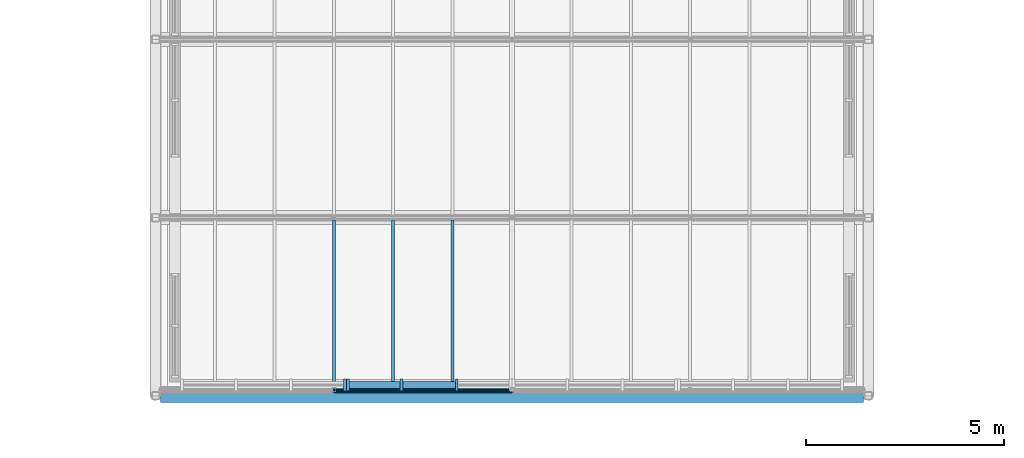
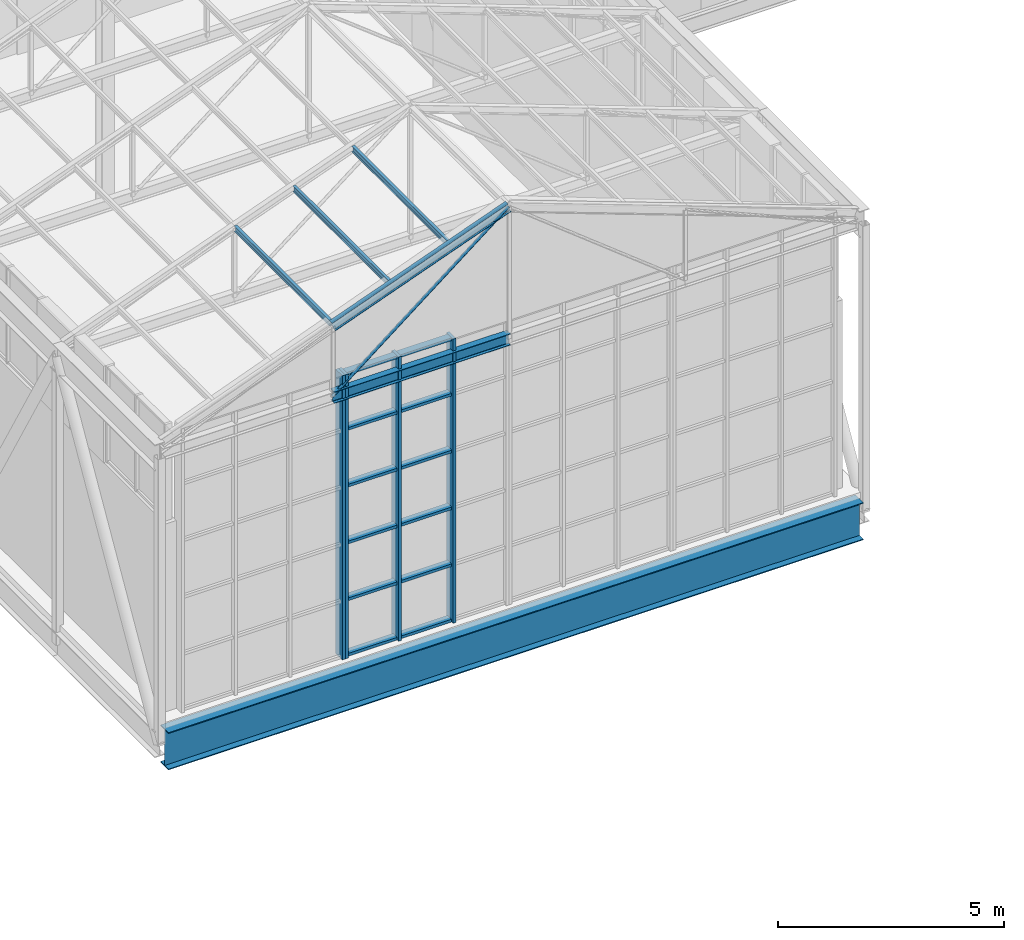
# One storey, part 12 of 90: 22 members, 1 beam, 2 elements without a shape of their own.
"""IFC4 building model written with IfcOpenShell, lengths in metres."""

from ifc_helpers import new_model, si_unit, direction, frame, origin, origin_2d, place, context, subcontext, project, spatial, rectangle, hollow_circle, i_section, extrude, material, layer, layer_set, material_profile, profile_set, type_object, element, aggregate, save


model = new_model("IFC4")

# Units and contexts
model_context = context("Model", 3, precision=1e-05, world=origin(), true_north=direction((0.0, 1.0)))
body_context = subcontext(model_context, "Body", "Model", "MODEL_VIEW")
ifc_project = project(units=[si_unit("LENGTHUNIT", "METRE"), si_unit("AREAUNIT", "SQUARE_METRE"), si_unit("VOLUMEUNIT", "CUBIC_METRE"), si_unit("PLANEANGLEUNIT", "RADIAN"), si_unit("MASSUNIT", "GRAM", prefix="KILO")], contexts=[model_context])

# Site, building, storey
site_placement = place(None, origin())
site = spatial("IfcSite", under=ifc_project, at=site_placement, CompositionType="ELEMENT")
building_placement = place(site_placement, origin())
building = spatial("IfcBuilding", under=site, at=building_placement, Name="Halyard Row Museum", CompositionType="ELEMENT")
storey_placement = place(building_placement, frame((0.0, 0.0, 13.39990234375)))
storey = spatial("IfcBuildingStorey", under=building, at=storey_placement, Name="L03", CompositionType="ELEMENT", Elevation=13.39990234375)

# Beam
ifc_material_1 = material(Name="Steel Grade 300", Category="steel")
ifc_material_profile_1 = material_profile(ifc_material_1, i_section(OverallWidth=0.35009765625, OverallDepth=1.010009765625, WebThickness=0.01611328125, FlangeThickness=0.02490234375, at=origin_2d()), Name="1000WB258")
ifc_profile_set_1 = profile_set([ifc_material_profile_1], Name="Steel Grade 300")
beam_type = type_object("IfcBeamType", Name="Cross girder beam 1000WB258", PredefinedType="BEAM", material=ifc_profile_set_1)
beam_placement = place(storey_placement, frame((36.125, 0.0, -0.669921875), z_axis=(1.0, 0.0, 0.0), x_axis=(0.0, 1.0, 0.0)))
element("IfcBeam", 1, at=beam_placement, inside=storey, type_object=beam_type, Name="Beam L03-001", PredefinedType="BEAM", context=body_context, shape_type="SweptSolid", body=[
    extrude(i_section(OverallWidth=0.35009765625, OverallDepth=1.010009765625, WebThickness=0.01611328125, FlangeThickness=0.02490234375, at=origin_2d()), origin(), (0.0, 0.0, 1.0), 17.75),
])

# Curtain wall, member
ifc_material_2 = material(Name="Double glazed unit, low-emissivity", Category="glass")
ifc_layer = layer(ifc_material_2, 0.300048828125)
ifc_layer_set = layer_set([ifc_layer], Name="Double glazed unit, low-emissivity")
curtain_wall_type = type_object("IfcCurtainWallType", Name="Curtain wall deep-framed 300 deep", PredefinedType="NOTDEFINED", material=ifc_layer_set)
curtain_wall_1_placement = place(storey_placement, origin())
curtain_wall_1 = element("IfcCurtainWall", 2, at=curtain_wall_1_placement, inside=storey, type_object=curtain_wall_type, Name="Curtain wall CW063", PredefinedType="NOTDEFINED")
ifc_material_3 = material(Name="Powder-coated aluminium section", Category="aluminium")
ifc_material_profile_2 = material_profile(ifc_material_3, rectangle(XDim=0.300048828125, YDim=0.074951171875, at=origin_2d()), Name="300x75 mullion")
ifc_profile_set_2 = profile_set([ifc_material_profile_2], Name="Powder-coated aluminium section")
member_type_1 = type_object("IfcMemberType", Name="Curtain wall mullion CM6 75 x 300", PredefinedType="MULLION", material=ifc_profile_set_2)
member_1_placement = place(storey_placement, frame((40.777587890625, 0.27490234375, 0.0), z_axis=(0.0, 0.0, 1.0), x_axis=(0.0, 1.0, 0.0)))
member_1 = element("IfcMember", 3, at=member_1_placement, type_object=member_type_1, Name="CW063 mullion 4", PredefinedType="MULLION", context=body_context, shape_type="SweptSolid", body=[
    extrude(rectangle(XDim=0.300048828125, YDim=0.074951171875, at=origin_2d()), origin(), (0.0, 0.0, 1.0), 7.6728515625),
])
aggregate(curtain_wall_1, [member_1])

# Curtain wall, members
curtain_wall_2_placement = place(storey_placement, origin())
curtain_wall_2 = element("IfcCurtainWall", 4, at=curtain_wall_2_placement, inside=storey, type_object=curtain_wall_type, Name="Curtain wall CW064", PredefinedType="NOTDEFINED")
member_2_placement = place(storey_placement, frame((40.8525390625, 0.27490234375, 0.0), z_axis=(0.0, 0.0, 1.0), x_axis=(0.0, 1.0, 0.0)))
member_2 = element("IfcMember", 5, at=member_2_placement, type_object=member_type_1, Name="CW064 mullion 1", PredefinedType="MULLION", context=body_context, shape_type="SweptSolid", body=[
    extrude(rectangle(XDim=0.300048828125, YDim=0.074951171875, at=origin_2d()), origin(), (0.0, 0.0, 1.0), 7.6728515625),
])
member_3_placement = place(storey_placement, frame((42.2099609375, 0.27490234375, 0.0), z_axis=(0.0, 0.0, 1.0), x_axis=(0.0, 1.0, 0.0)))
member_3 = element("IfcMember", 6, at=member_3_placement, type_object=member_type_1, Name="CW064 mullion 2", PredefinedType="MULLION", context=body_context, shape_type="SweptSolid", body=[
    extrude(rectangle(XDim=0.300048828125, YDim=0.074951171875, at=origin_2d()), origin(), (0.0, 0.0, 1.0), 7.6728515625),
])
member_4_placement = place(storey_placement, frame((43.60498046875, 0.27490234375, 0.0), z_axis=(0.0, 0.0, 1.0), x_axis=(0.0, 1.0, 0.0)))
member_4 = element("IfcMember", 7, at=member_4_placement, type_object=member_type_1, Name="CW064 mullion 3", PredefinedType="MULLION", context=body_context, shape_type="SweptSolid", body=[
    extrude(rectangle(XDim=0.300048828125, YDim=0.074951171875, at=origin_2d()), origin(), (0.0, 0.0, 1.0), 7.6728515625),
])
ifc_material_4 = material(Name="Powder-coated aluminium section", Category="aluminium")
ifc_material_profile_3 = material_profile(ifc_material_4, rectangle(XDim=0.179931640625, YDim=0.074951171875, at=origin_2d()), Name="180x75 transom")
ifc_profile_set_3 = profile_set([ifc_material_profile_3], Name="Powder-coated aluminium section")
member_type_2 = type_object("IfcMemberType", Name="Curtain wall transom CT6 75 x 180", PredefinedType="USERDEFINED", material=ifc_profile_set_3)
member_5_placement = place(storey_placement, frame((40.889892578125, 0.27490234375, 0.03759765625), z_axis=(1.0, 0.0, 0.0), x_axis=(0.0, 1.0, 0.0)))
member_5 = element("IfcMember", 8, at=member_5_placement, type_object=member_type_2, Name="CW064 transom 1.1", ObjectType="TRANSOM", PredefinedType="USERDEFINED", context=body_context, shape_type="SweptSolid", body=[
    extrude(rectangle(XDim=0.179931640625, YDim=0.074951171875, at=origin_2d()), origin(), (0.0, 0.0, 1.0), 1.28271484375),
])
member_6_placement = place(storey_placement, frame((40.889892578125, 0.27490234375, 1.53466796875), z_axis=(1.0, 0.0, 0.0), x_axis=(0.0, 1.0, 0.0)))
member_6 = element("IfcMember", 9, at=member_6_placement, type_object=member_type_2, Name="CW064 transom 1.2", ObjectType="TRANSOM", PredefinedType="USERDEFINED", context=body_context, shape_type="SweptSolid", body=[
    extrude(rectangle(XDim=0.179931640625, YDim=0.074951171875, at=origin_2d()), origin(), (0.0, 0.0, 1.0), 1.28271484375),
])
member_7_placement = place(storey_placement, frame((40.889892578125, 0.27490234375, 3.069091796875), z_axis=(1.0, 0.0, 0.0), x_axis=(0.0, 1.0, 0.0)))
member_7 = element("IfcMember", 10, at=member_7_placement, type_object=member_type_2, Name="CW064 transom 1.3", ObjectType="TRANSOM", PredefinedType="USERDEFINED", context=body_context, shape_type="SweptSolid", body=[
    extrude(rectangle(XDim=0.179931640625, YDim=0.074951171875, at=origin_2d()), origin(), (0.0, 0.0, 1.0), 1.28271484375),
])
member_8_placement = place(storey_placement, frame((40.889892578125, 0.27490234375, 4.603759765625), z_axis=(1.0, 0.0, 0.0), x_axis=(0.0, 1.0, 0.0)))
member_8 = element("IfcMember", 11, at=member_8_placement, type_object=member_type_2, Name="CW064 transom 1.4", ObjectType="TRANSOM", PredefinedType="USERDEFINED", context=body_context, shape_type="SweptSolid", body=[
    extrude(rectangle(XDim=0.179931640625, YDim=0.074951171875, at=origin_2d()), origin(), (0.0, 0.0, 1.0), 1.28271484375),
])
member_9_placement = place(storey_placement, frame((40.889892578125, 0.27490234375, 6.13818359375), z_axis=(1.0, 0.0, 0.0), x_axis=(0.0, 1.0, 0.0)))
member_9 = element("IfcMember", 12, at=member_9_placement, type_object=member_type_2, Name="CW064 transom 1.5", ObjectType="TRANSOM", PredefinedType="USERDEFINED", context=body_context, shape_type="SweptSolid", body=[
    extrude(rectangle(XDim=0.179931640625, YDim=0.074951171875, at=origin_2d()), origin(), (0.0, 0.0, 1.0), 1.28271484375),
])
member_10_placement = place(storey_placement, frame((40.889892578125, 0.27490234375, 7.63525390625), z_axis=(1.0, 0.0, 0.0), x_axis=(0.0, 1.0, 0.0)))
member_10 = element("IfcMember", 13, at=member_10_placement, type_object=member_type_2, Name="CW064 transom 1.6", ObjectType="TRANSOM", PredefinedType="USERDEFINED", context=body_context, shape_type="SweptSolid", body=[
    extrude(rectangle(XDim=0.179931640625, YDim=0.074951171875, at=origin_2d()), origin(), (0.0, 0.0, 1.0), 1.28271484375),
])
member_11_placement = place(storey_placement, frame((42.24755859375, 0.27490234375, 0.03759765625), z_axis=(1.0, 0.0, 0.0), x_axis=(0.0, 1.0, 0.0)))
member_11 = element("IfcMember", 14, at=member_11_placement, type_object=member_type_2, Name="CW064 transom 2.1", ObjectType="TRANSOM", PredefinedType="USERDEFINED", context=body_context, shape_type="SweptSolid", body=[
    extrude(rectangle(XDim=0.179931640625, YDim=0.074951171875, at=origin_2d()), origin(), (0.0, 0.0, 1.0), 1.31982421875),
])
member_12_placement = place(storey_placement, frame((42.24755859375, 0.27490234375, 1.53466796875), z_axis=(1.0, 0.0, 0.0), x_axis=(0.0, 1.0, 0.0)))
member_12 = element("IfcMember", 15, at=member_12_placement, type_object=member_type_2, Name="CW064 transom 2.2", ObjectType="TRANSOM", PredefinedType="USERDEFINED", context=body_context, shape_type="SweptSolid", body=[
    extrude(rectangle(XDim=0.179931640625, YDim=0.074951171875, at=origin_2d()), origin(), (0.0, 0.0, 1.0), 1.31982421875),
])
member_13_placement = place(storey_placement, frame((42.24755859375, 0.27490234375, 3.069091796875), z_axis=(1.0, 0.0, 0.0), x_axis=(0.0, 1.0, 0.0)))
member_13 = element("IfcMember", 16, at=member_13_placement, type_object=member_type_2, Name="CW064 transom 2.3", ObjectType="TRANSOM", PredefinedType="USERDEFINED", context=body_context, shape_type="SweptSolid", body=[
    extrude(rectangle(XDim=0.179931640625, YDim=0.074951171875, at=origin_2d()), origin(), (0.0, 0.0, 1.0), 1.31982421875),
])
member_14_placement = place(storey_placement, frame((42.24755859375, 0.27490234375, 4.603759765625), z_axis=(1.0, 0.0, 0.0), x_axis=(0.0, 1.0, 0.0)))
member_14 = element("IfcMember", 17, at=member_14_placement, type_object=member_type_2, Name="CW064 transom 2.4", ObjectType="TRANSOM", PredefinedType="USERDEFINED", context=body_context, shape_type="SweptSolid", body=[
    extrude(rectangle(XDim=0.179931640625, YDim=0.074951171875, at=origin_2d()), origin(), (0.0, 0.0, 1.0), 1.31982421875),
])
member_15_placement = place(storey_placement, frame((42.24755859375, 0.27490234375, 6.13818359375), z_axis=(1.0, 0.0, 0.0), x_axis=(0.0, 1.0, 0.0)))
member_15 = element("IfcMember", 18, at=member_15_placement, type_object=member_type_2, Name="CW064 transom 2.5", ObjectType="TRANSOM", PredefinedType="USERDEFINED", context=body_context, shape_type="SweptSolid", body=[
    extrude(rectangle(XDim=0.179931640625, YDim=0.074951171875, at=origin_2d()), origin(), (0.0, 0.0, 1.0), 1.31982421875),
])
member_16_placement = place(storey_placement, frame((42.24755859375, 0.27490234375, 7.63525390625), z_axis=(1.0, 0.0, 0.0), x_axis=(0.0, 1.0, 0.0)))
member_16 = element("IfcMember", 19, at=member_16_placement, type_object=member_type_2, Name="CW064 transom 2.6", ObjectType="TRANSOM", PredefinedType="USERDEFINED", context=body_context, shape_type="SweptSolid", body=[
    extrude(rectangle(XDim=0.179931640625, YDim=0.074951171875, at=origin_2d()), origin(), (0.0, 0.0, 1.0), 1.31982421875),
])
aggregate(curtain_wall_2, [member_2, member_3, member_4, member_5, member_6, member_7, member_8, member_9, member_10, member_11, member_12, member_13, member_14, member_15, member_16])

# Members
ifc_material_5 = material(Name="Steel Grade 300", Category="steel")
ifc_material_profile_4 = material_profile(ifc_material_5, i_section(OverallWidth=0.074951171875, OverallDepth=0.155029296875, WebThickness=0.006103515625, FlangeThickness=0.009521484375, FilletRadius=0.008056640625, at=origin_2d()), Name="150UB18.0")
ifc_profile_set_4 = profile_set([ifc_material_profile_4], Name="Steel Grade 300")
member_type_3 = type_object("IfcMemberType", Name="Purlin 150UB18.0", PredefinedType="PURLIN", material=ifc_profile_set_4)
for number, where, z_axis, x_axis, name in (
    (20, (40.5, 0.216552734375, 9.133544921875), (0.0, 1.0, 0.0), (-1.0, 0.0, 0.0), "V4 purlin PL3.1"),
    (21, (42.0, 0.216552734375, 9.685302734375), (0.0, 1.0, 0.0), (-1.0, 0.0, 0.0), "V4 purlin PL4.1"),
    (22, (43.5, 0.216552734375, 10.237060546875), (0.0, 1.0, 0.0), (-1.0, 0.0, 0.0), "V4 purlin PL5.1"),
):
    element("IfcMember", number, at=place(storey_placement, frame(where, z_axis=z_axis, x_axis=x_axis)), inside=storey, type_object=member_type_3, Name=name, PredefinedType="PURLIN", context=body_context, shape_type="SweptSolid", body=[
        extrude(i_section(OverallWidth=0.074951171875, OverallDepth=0.155029296875, WebThickness=0.006103515625, FlangeThickness=0.009521484375, FilletRadius=0.008056640625, at=origin_2d()), origin(), (0.0, 0.0, 1.0), 4.217041015625),
    ])
ifc_material_6 = material(Name="Steel Grade C250L0", Category="steel")
ifc_material_profile_5 = material_profile(ifc_material_6, hollow_circle(Radius=0.0380859375, WallThickness=0.00439453125, at=origin_2d()), Name="76.1x4.5CHS")
ifc_profile_set_5 = profile_set([ifc_material_profile_5], Name="Steel Grade C250L0")
member_type_4 = type_object("IfcMemberType", Name="Roof truss diagonal 76.1x4.5CHS", PredefinedType="BRACE", material=ifc_profile_set_5)
member_17_placement = place(storey_placement, frame((40.5, 0.14990234375, 7.197998046875), z_axis=(0.785101867341, 0.0, 0.619366658691), x_axis=(0.0, 1.0, 0.0)))
element("IfcMember", 23, at=member_17_placement, inside=storey, type_object=member_type_4, Name="V4RT1 diagonal 2", PredefinedType="BRACE", context=body_context, shape_type="SweptSolid", body=[
    extrude(hollow_circle(Radius=0.0380859375, WallThickness=0.00439453125, at=origin_2d()), origin(), (0.0, 0.0, 1.0), 5.731689453125),
])
ifc_material_7 = material(Name="Steel Grade 300", Category="steel")
ifc_material_profile_6 = material_profile(ifc_material_7, i_section(OverallWidth=0.1240234375, OverallDepth=0.248046875, WebThickness=0.0048828125, FlangeThickness=0.008056640625, FilletRadius=0.011962890625, at=origin_2d()), Name="250UB25.7")
ifc_profile_set_6 = profile_set([ifc_material_profile_6], Name="Steel Grade 300")
member_type_5 = type_object("IfcMemberType", Name="Roof truss rafter 250UB25.7 end truss", PredefinedType="RAFTER", material=ifc_profile_set_6)
member_18_placement = place(storey_placement, frame((40.5, 0.14990234375, 9.0927734375), z_axis=(0.938520336973, 0.0, 0.345223952077), x_axis=(0.0, 1.0, 0.0)))
element("IfcMember", 24, at=member_18_placement, inside=storey, type_object=member_type_5, Name="V4RT1 rafter 2", PredefinedType="RAFTER", context=body_context, shape_type="SweptSolid", body=[
    extrude(i_section(OverallWidth=0.1240234375, OverallDepth=0.248046875, WebThickness=0.0048828125, FlangeThickness=0.008056640625, FilletRadius=0.011962890625, at=origin_2d()), origin(), (0.0, 0.0, 1.0), 4.794677734375),
])
ifc_material_8 = material(Name="Steel Grade 300", Category="steel")
ifc_material_profile_7 = material_profile(ifc_material_8, i_section(OverallWidth=0.166015625, OverallDepth=0.30712890625, WebThickness=0.006591796875, FlangeThickness=0.01171875, FilletRadius=0.011474609375, at=origin_2d()), Name="310UB46.2")
ifc_profile_set_7 = profile_set([ifc_material_profile_7], Name="Steel Grade 300")
member_type_6 = type_object("IfcMemberType", Name="Roof truss tie 310UB46.2 end truss", PredefinedType="CHORD", material=ifc_profile_set_7)
member_19_placement = place(storey_placement, frame((40.5, 0.14990234375, 7.197998046875), z_axis=(1.0, 0.0, 0.0), x_axis=(0.0, 1.0, 0.0)))
element("IfcMember", 25, at=member_19_placement, inside=storey, type_object=member_type_6, Name="V4RT1 tie 2", PredefinedType="CHORD", context=body_context, shape_type="SweptSolid", body=[
    extrude(i_section(OverallWidth=0.166015625, OverallDepth=0.30712890625, WebThickness=0.006591796875, FlangeThickness=0.01171875, FilletRadius=0.011474609375, at=origin_2d()), origin(), (0.0, 0.0, 1.0), 4.5),
])

save(model, "model.ifc")
